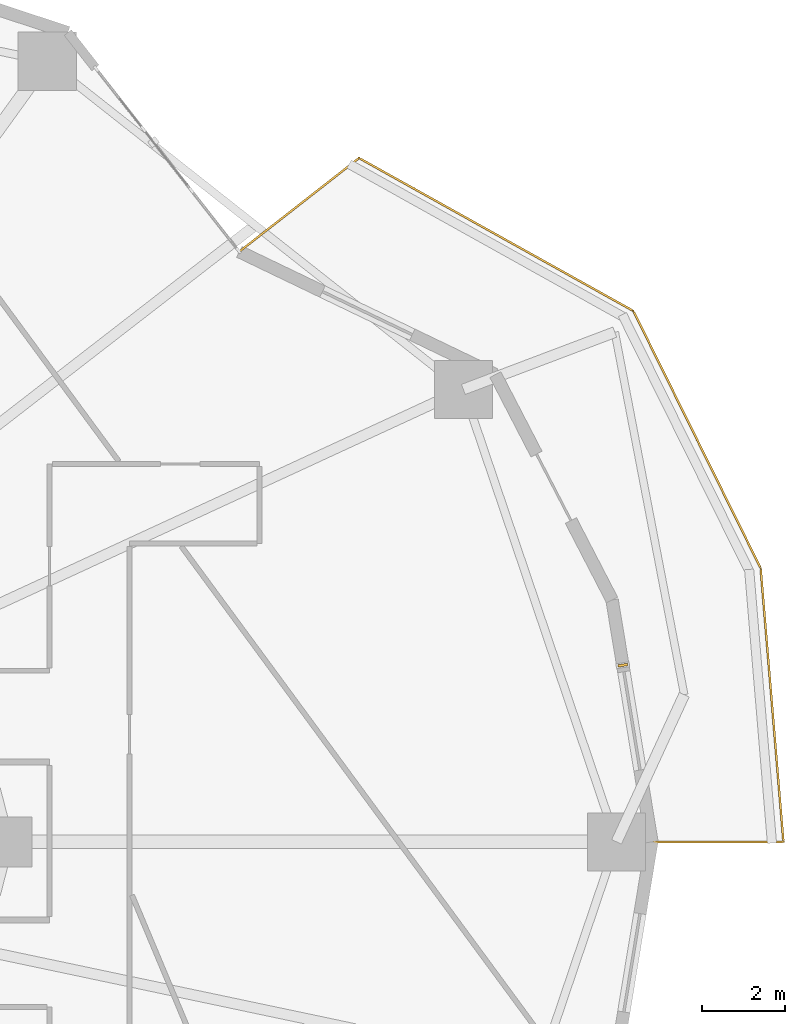
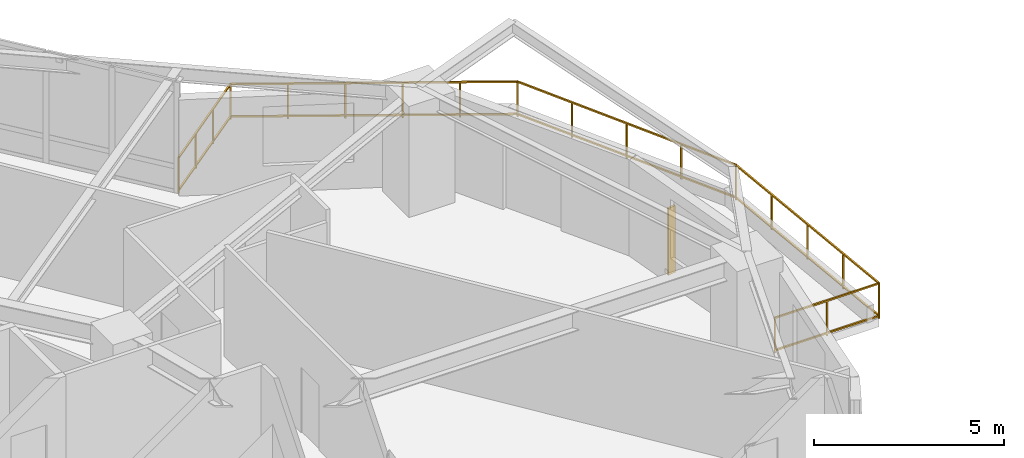
# One storey, part 17 of 18: 1 railing, 1 shading device.
"""IFC4 building model written with IfcOpenShell, lengths in metres."""

from ifc_helpers import new_model, si_unit, direction, frame, origin, origin_2d, place, context, subcontext, project, spatial, rectangle, extrude, material, type_object, element, save


model = new_model("IFC4")

# Units and contexts
model_context = context("Model", 3, precision=1e-05, world=origin(), true_north=direction((0.0, 1.0)))
body_context = subcontext(model_context, "Body", "Model", "MODEL_VIEW")
ifc_project = project(units=[si_unit("LENGTHUNIT", "METRE"), si_unit("AREAUNIT", "SQUARE_METRE"), si_unit("VOLUMEUNIT", "CUBIC_METRE"), si_unit("PLANEANGLEUNIT", "RADIAN"), si_unit("MASSUNIT", "GRAM", prefix="KILO")], contexts=[model_context])

# Site, building, storey
site_placement = place(None, origin())
site = spatial("IfcSite", under=ifc_project, at=site_placement, CompositionType="ELEMENT")
building_placement = place(site_placement, origin())
building = spatial("IfcBuilding", under=site, at=building_placement, Name="Kolvaren Gate Tower and Convention Centre", CompositionType="ELEMENT")
storey_placement = place(building_placement, frame((0.0, 0.0, 30.35009765625)))
storey = spatial("IfcBuildingStorey", under=building, at=storey_placement, Name="L06", CompositionType="ELEMENT", Elevation=30.35009765625)

# Railing
ifc_material_1 = material(Name="Brushed Stainless Steel Grade 316L", Category="steel")
railing_type = type_object("IfcRailingType", Name="ARCH-RL-GUARD-1150", PredefinedType="GUARDRAIL", material=ifc_material_1)
railing_placement = place(storey_placement, frame((58.25, 27.0, 0.0)))
element("IfcRailing", 1, at=railing_placement, inside=storey, type_object=railing_type, Name="Tower L06 Terrace Perimeter Guardrail GR-1", PredefinedType="GUARDRAIL", context=body_context, shape_type="SweptSolid", body=[
    extrude(rectangle(XDim=0.048095703125, YDim=0.048095703125, at=origin_2d()), frame((0.028076171875, 0.0, 1.1259765625), z_axis=(1.0, 0.0, 0.0), x_axis=(0.0, 1.0, 0.0)), (0.0, 0.0, 1.0), 3.11376953125),
    extrude(rectangle(XDim=0.048095703125, YDim=0.048095703125, at=origin_2d()), frame((0.028076171875, 0.0, 0.083984375), z_axis=(1.0, 0.0, 0.0), x_axis=(0.0, 1.0, 0.0)), (0.0, 0.0, 1.0), 3.11376953125),
    extrude(rectangle(XDim=0.048095703125, YDim=0.048095703125, at=origin_2d()), frame((3.16748046875, 0.02783203125, 1.1259765625), z_axis=(-0.083097416422, 0.996541428835, 0.0), x_axis=(-0.996541428835, -0.083097416422, 0.0)), (0.0, 0.0, 1.0), 6.557373046875),
    extrude(rectangle(XDim=0.048095703125, YDim=0.048095703125, at=origin_2d()), frame((3.16748046875, 0.02783203125, 0.083984375), z_axis=(-0.083097416422, 0.996541428835, 0.0), x_axis=(-0.996541428835, -0.083097416422, 0.0)), (0.0, 0.0, 1.0), 6.557373046875),
    extrude(rectangle(XDim=0.048095703125, YDim=0.048095703125, at=origin_2d()), frame((2.60791015625, 6.61572265625, 1.1259765625), z_axis=(-0.443578479433, 0.8962355341, 0.0), x_axis=(-0.8962355341, -0.443578479433, 0.0)), (0.0, 0.0, 1.0), 6.855224609375),
    extrude(rectangle(XDim=0.048095703125, YDim=0.048095703125, at=origin_2d()), frame((2.60791015625, 6.61572265625, 0.083984375), z_axis=(-0.443578479433, 0.8962355341, 0.0), x_axis=(-0.8962355341, -0.443578479433, 0.0)), (0.0, 0.0, 1.0), 6.855224609375),
    extrude(rectangle(XDim=0.048095703125, YDim=0.048095703125, at=origin_2d()), frame((-0.4697265625, 12.79833984375, 1.1259765625), z_axis=(-0.873486390754, 0.486848564923, 0.0), x_axis=(-0.486848564923, -0.873486390754, 0.0)), (0.0, 0.0, 1.0), 7.506103515625),
    extrude(rectangle(XDim=0.048095703125, YDim=0.048095703125, at=origin_2d()), frame((-0.4697265625, 12.79833984375, 0.083984375), z_axis=(-0.873486390754, 0.486848564923, 0.0), x_axis=(-0.486848564923, -0.873486390754, 0.0)), (0.0, 0.0, 1.0), 7.506103515625),
    extrude(rectangle(XDim=0.048095703125, YDim=0.048095703125, at=origin_2d()), frame((-7.072998046875, 16.448974609375, 1.1259765625), z_axis=(-0.787988976981, -0.61568934712, 0.0), x_axis=(0.61568934712, -0.787988976981, 0.0)), (0.0, 0.0, 1.0), 3.60400390625),
    extrude(rectangle(XDim=0.048095703125, YDim=0.048095703125, at=origin_2d()), frame((-7.072998046875, 16.448974609375, 0.083984375), z_axis=(-0.787988976981, -0.61568934712, 0.0), x_axis=(0.61568934712, -0.787988976981, 0.0)), (0.0, 0.0, 1.0), 3.60400390625),
    extrude(rectangle(XDim=0.0419921875, YDim=0.0419921875, at=origin_2d()), origin(), (0.0, 0.0, 1.0), 1.14990234375),
    extrude(rectangle(XDim=0.0419921875, YDim=0.0419921875, at=origin_2d()), frame((3.169921875, 0.0, 0.0)), (0.0, 0.0, 1.0), 1.14990234375),
    extrude(rectangle(XDim=0.0419921875, YDim=0.0419921875, at=origin_2d()), frame((1.5849609375, 0.0, 0.0)), (0.0, 0.0, 1.0), 1.099853515625),
    extrude(rectangle(XDim=0.0419921875, YDim=0.0419921875, at=origin_2d()), frame((2.620361328125, 6.590576171875, 0.0)), (0.0, 0.0, 1.0), 1.14990234375),
    extrude(rectangle(XDim=0.0419921875, YDim=0.0419921875, at=origin_2d()), frame((3.032470703125, 1.647705078125, 0.0)), (0.0, 0.0, 1.0), 1.099853515625),
    extrude(rectangle(XDim=0.0419921875, YDim=0.0419921875, at=origin_2d()), frame((2.89501953125, 3.29541015625, 0.0)), (0.0, 0.0, 1.0), 1.099853515625),
    extrude(rectangle(XDim=0.0419921875, YDim=0.0419921875, at=origin_2d()), frame((2.7578125, 4.94287109375, 0.0)), (0.0, 0.0, 1.0), 1.099853515625),
    extrude(rectangle(XDim=0.0419921875, YDim=0.0419921875, at=origin_2d()), frame((-0.4453125, 12.78466796875, 0.0)), (0.0, 0.0, 1.0), 1.14990234375),
    extrude(rectangle(XDim=0.0419921875, YDim=0.0419921875, at=origin_2d()), frame((1.85400390625, 8.13916015625, 0.0)), (0.0, 0.0, 1.0), 1.099853515625),
    extrude(rectangle(XDim=0.0419921875, YDim=0.0419921875, at=origin_2d()), frame((1.08740234375, 9.6875, 0.0)), (0.0, 0.0, 1.0), 1.099853515625),
    extrude(rectangle(XDim=0.0419921875, YDim=0.0419921875, at=origin_2d()), frame((0.321044921875, 11.236083984375, 0.0)), (0.0, 0.0, 1.0), 1.099853515625),
    extrude(rectangle(XDim=0.0419921875, YDim=0.0419921875, at=origin_2d()), frame((-7.05078125, 16.46630859375, 0.0)), (0.0, 0.0, 1.0), 1.14990234375),
    extrude(rectangle(XDim=0.0419921875, YDim=0.0419921875, at=origin_2d()), frame((-1.766357421875, 13.52099609375, 0.0)), (0.0, 0.0, 1.0), 1.099853515625),
    extrude(rectangle(XDim=0.0419921875, YDim=0.0419921875, at=origin_2d()), frame((-3.08740234375, 14.25732421875, 0.0)), (0.0, 0.0, 1.0), 1.099853515625),
    extrude(rectangle(XDim=0.0419921875, YDim=0.0419921875, at=origin_2d()), frame((-4.40869140625, 14.99365234375, 0.0)), (0.0, 0.0, 1.0), 1.099853515625),
    extrude(rectangle(XDim=0.0419921875, YDim=0.0419921875, at=origin_2d()), frame((-5.729736328125, 15.72998046875, 0.0)), (0.0, 0.0, 1.0), 1.099853515625),
    extrude(rectangle(XDim=0.0419921875, YDim=0.0419921875, at=origin_2d()), frame((-9.934814453125, 14.212890625, 0.0)), (0.0, 0.0, 1.0), 1.14990234375),
    extrude(rectangle(XDim=0.0419921875, YDim=0.0419921875, at=origin_2d()), frame((-8.01220703125, 15.715087890625, 0.0)), (0.0, 0.0, 1.0), 1.099853515625),
    extrude(rectangle(XDim=0.0419921875, YDim=0.0419921875, at=origin_2d()), frame((-8.973388671875, 14.964111328125, 0.0)), (0.0, 0.0, 1.0), 1.099853515625),
])

# Shading device
ifc_material_2 = material(Name="Kiln-Fired Bogota Terracotta Ceramic Louvre Profile", Category="masonry")
shading_device_type = type_object("IfcShadingDeviceType", Name="ARCH-SHD-FIN-180", PredefinedType="JALOUSIE", material=ifc_material_2)
shading_device_placement = place(storey_placement, frame((57.550048828125, 31.25341796875, 0.219970703125), z_axis=(0.0, 0.0, 1.0), x_axis=(0.162377123682, -0.986728772108, 0.0)))
element("IfcShadingDevice", 2, at=shading_device_placement, inside=storey, type_object=shading_device_type, Name="Ceramic Vertical Brise-Soleil Fin FN-L06-00", PredefinedType="JALOUSIE", context=body_context, shape_type="SweptSolid", body=[
    extrude(rectangle(XDim=0.06005859375, YDim=0.239990234375, at=origin_2d()), origin(), (0.0, 0.0, 1.0), 2.14990234375),
])

save(model, "model.ifc")
